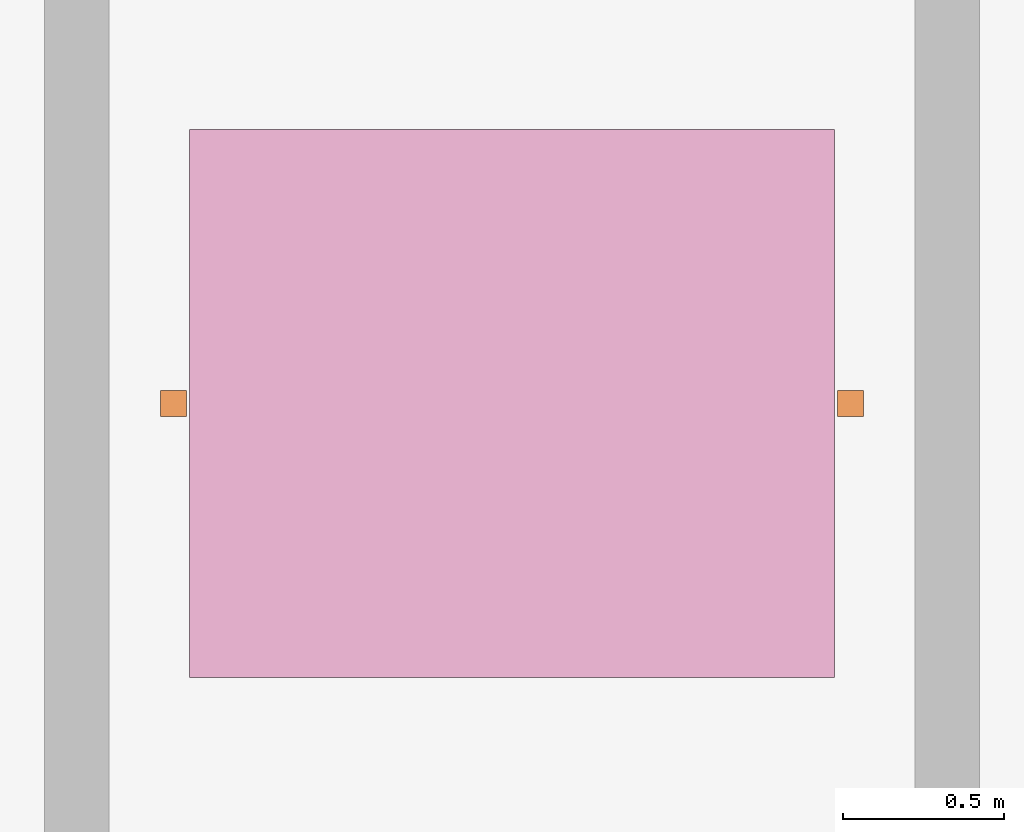
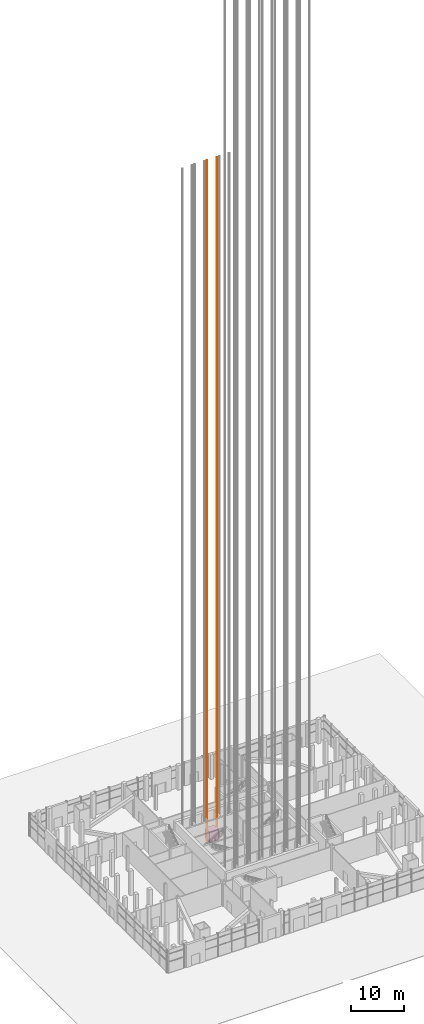
# One storey, part 26 of 27: 2 proxies, 1 transport element.
"""IFC4 building model written with IfcOpenShell, lengths in metres."""

import ifcopenshell
import ifcopenshell.guid

model = None  # the IFC model being written
_history = None  # IfcOwnerHistory: only IFC2X3 demands one
_inside = {}  # id of a spatial element -> (the spatial element, [elements in it])
_under = {}  # id of a project, library or spatial element -> (it, [spatial elements below it])
_declared = {}  # id of a project -> (the project, [libraries it declares])
_typed = {}  # id of a type object -> (the type object, [elements of that type])
_made_of = {}  # id of a material, layer set ... -> (it, [elements and type objects made of it])


def new_model(schema):
    """Start an empty IFC model of exactly this schema.

    Asked for "IFC4X3", IfcOpenShell would pick the latest addendum, in which some entities
    have other attributes; the version numbers below select the first issue.
    IFC2X3 requires an IfcOwnerHistory on every rooted entity: one is made here for all.
    """
    global model, _history
    if schema == "IFC4X3":
        model = ifcopenshell.file(schema_version=(4, 3, 0, 0))
    else:
        model = ifcopenshell.file(schema=schema)
    _inside.clear()
    _under.clear()
    _declared.clear()
    _typed.clear()
    _made_of.clear()
    _history = None
    if model.schema == "IFC2X3":
        org = make("IfcOrganization", Name="unknown")
        user = make(
            "IfcPersonAndOrganization",
            ThePerson=make("IfcPerson", FamilyName="unknown"),
            TheOrganization=org,
        )
        app = make(
            "IfcApplication",
            ApplicationDeveloper=org,
            Version="unknown",
            ApplicationFullName="unknown",
            ApplicationIdentifier="unknown",
        )
        _history = make(
            "IfcOwnerHistory",
            OwningUser=user,
            OwningApplication=app,
            ChangeAction="ADDED",
            CreationDate=0,
        )
    return model


def make(cls, **values):
    """One entity of the class cls with the attributes given. An attribute that is None is left unset."""
    return model.create_entity(
        cls, **{name: value for name, value in values.items() if value is not None}
    )


def rooted(cls, **values):
    """An entity with a GlobalId (a new one), such as an element, a storey or a relation."""
    return make(cls, GlobalId=ifcopenshell.guid.new(), OwnerHistory=_history, **values)


def si_unit(unit_type, name, prefix=None):
    """IfcSIUnit, for example si_unit("LENGTHUNIT", "METRE", prefix="MILLI")."""
    return make("IfcSIUnit", UnitType=unit_type, Prefix=prefix, Name=name)


def assignment(units):
    """IfcUnitAssignment: the units of a project."""
    return None if units is None else make("IfcUnitAssignment", Units=units)


def point(xyz):
    """IfcCartesianPoint."""
    return None if xyz is None else make("IfcCartesianPoint", Coordinates=xyz)


def direction(xyz):
    """IfcDirection."""
    return None if xyz is None else make("IfcDirection", DirectionRatios=xyz)


def frame(location, z_axis=None, x_axis=None):
    """IfcAxis2Placement3D, a coordinate frame: its origin and axes. An axis left out is left unset."""
    return make(
        "IfcAxis2Placement3D",
        Location=point(location),
        Axis=direction(z_axis),
        RefDirection=direction(x_axis),
    )


def frame_2d(location, x_axis=None):
    """IfcAxis2Placement2D, a coordinate frame in the plane: its origin and x axis."""
    return make(
        "IfcAxis2Placement2D", Location=point(location), RefDirection=direction(x_axis)
    )


def origin():
    """The frame at (0, 0, 0) with its axes left unset."""
    return frame((0.0, 0.0, 0.0))


def origin_2d():
    """The frame at (0, 0) in the plane with its x axis left unset."""
    return frame_2d((0.0, 0.0))


def place(relative_to, where):
    """IfcLocalPlacement: puts the frame where relative to a parent placement (None: the world)."""
    return make(
        "IfcLocalPlacement", PlacementRelTo=relative_to, RelativePlacement=where
    )


def context(
    kind, dimensions, precision=None, world=None, true_north=None, identifier=None
):
    """IfcGeometricRepresentationContext, for example the 3D "Model" context."""
    return make(
        "IfcGeometricRepresentationContext",
        ContextIdentifier=identifier,
        ContextType=kind,
        CoordinateSpaceDimension=dimensions,
        Precision=precision,
        WorldCoordinateSystem=world,
        TrueNorth=true_north,
    )


def subcontext(parent, identifier, kind, view, scale=None):
    """IfcGeometricRepresentationSubContext, for example "Body" below "Model"."""
    return make(
        "IfcGeometricRepresentationSubContext",
        ContextIdentifier=identifier,
        ContextType=kind,
        ParentContext=parent,
        TargetScale=scale,
        TargetView=view,
    )


def project(units=None, contexts=None):
    """IfcProject with its units and contexts."""
    return rooted(
        "IfcProject",
        Name="project",
        RepresentationContexts=contexts,
        UnitsInContext=assignment(units),
    )


def spatial(cls, under=None, at=None, **own):
    """A site, building, storey or space (cls), placed at a placement, below another one or the project."""
    s = rooted(cls, ObjectPlacement=at, **own)
    if under is not None:
        _under.setdefault(under.id(), (under, []))[1].append(s)
    return s


def profile(cls, at=None, kind="AREA", **sizes):
    """A parametric profile (cls). Its sizes go by their IFC names, for example OverallWidth=200.0."""
    return make(cls, ProfileType=kind, Position=at, **sizes)


def rectangle(**sizes):
    """IfcRectangleProfileDef."""
    return profile("IfcRectangleProfileDef", **sizes)


def extrude(swept, where, along, depth):
    """IfcExtrudedAreaSolid: the profile swept, set in the frame where, extruded along a direction by depth."""
    return make(
        "IfcExtrudedAreaSolid",
        SweptArea=swept,
        Position=where,
        ExtrudedDirection=direction(along),
        Depth=depth,
    )


def shape(context_of_items, identifier, shape_type, items):
    """IfcShapeRepresentation: the items that make up one representation, for example the "Body"."""
    return make(
        "IfcShapeRepresentation",
        ContextOfItems=context_of_items,
        RepresentationIdentifier=identifier,
        RepresentationType=shape_type,
        Items=items,
    )


def material(Name=None, Category=None):
    """IfcMaterial."""
    return make("IfcMaterial", Name=Name, Category=Category)


def made_of(thing, what):
    """Note that an element or type object is made of a material, layer set ...; save() writes the relation."""
    if what is not None:
        _made_of.setdefault(what.id(), (what, []))[1].append(thing)
    return thing


def type_object(cls, material=None, **own):
    """A type object (cls), such as IfcWallType, which elements share."""
    return made_of(rooted(cls, **own), material)


def element(
    cls,
    number,
    at=None,
    inside=None,
    cuts=None,
    type_object=None,
    material=None,
    context=None,
    identifier="Body",
    shape_type=None,
    held_by="IfcProductDefinitionShape",
    body=None,
    shapes=None,
    **own,
):
    """One element of the class cls, such as IfcWall. Its Tag is "e" and its number.

    at: its placement. inside: the storey or other place that contains it. cuts: it is an
    opening in that element (IfcRelVoidsElement). A single representation is given by context,
    identifier, shape_type and body (its items); several are given by shapes. held_by: the class
    of the entity that holds the representations. save() writes the other relations.
    """
    e = rooted(cls, Tag="e%d" % number, ObjectPlacement=at, **own)
    if body is not None:
        shapes = [shape(context, identifier, shape_type, body)]
    if shapes is not None:
        e.Representation = make(held_by, Representations=shapes)
    if inside is not None:
        _inside.setdefault(inside.id(), (inside, []))[1].append(e)
    if cuts is not None:
        rooted(
            "IfcRelVoidsElement", RelatingBuildingElement=cuts, RelatedOpeningElement=e
        )
    if type_object is not None:
        _typed.setdefault(type_object.id(), (type_object, []))[1].append(e)
    return made_of(e, material)


def aggregate(whole, parts):
    """IfcRelAggregates: a whole, such as a stair, and the parts it consists of."""
    return rooted("IfcRelAggregates", RelatingObject=whole, RelatedObjects=parts)


def save(model, path):
    """Write the relations noted so far, then the file.

    IfcRelAggregates (storeys below a building ...), IfcRelContainedInSpatialStructure (elements
    in a storey), IfcRelDefinesByType, IfcRelAssociatesMaterial and IfcRelDeclares: one each for
    every whole, place, type object, material and project.
    """
    for whole, parts in _under.values():
        aggregate(whole, parts)
    for where, things in _inside.values():
        rooted(
            "IfcRelContainedInSpatialStructure",
            RelatedElements=things,
            RelatingStructure=where,
        )
    for kind, things in _typed.values():
        rooted("IfcRelDefinesByType", RelatedObjects=things, RelatingType=kind)
    for what, things in _made_of.values():
        rooted("IfcRelAssociatesMaterial", RelatedObjects=things, RelatingMaterial=what)
    for by, libraries in _declared.values():
        rooted("IfcRelDeclares", RelatingContext=by, RelatedDefinitions=libraries)
    model.write(path)


model = new_model("IFC4")

# Units and contexts
model_context = context("Model", 3, precision=1e-05, world=origin(), true_north=direction((0.0, 1.0)))
body_context = subcontext(model_context, "Body", "Model", "MODEL_VIEW")
ifc_project = project(units=[si_unit("LENGTHUNIT", "METRE"), si_unit("AREAUNIT", "SQUARE_METRE"), si_unit("VOLUMEUNIT", "CUBIC_METRE"), si_unit("PLANEANGLEUNIT", "RADIAN"), si_unit("MASSUNIT", "GRAM", prefix="KILO")], contexts=[model_context])

# Site, building, storey
site_placement = place(None, origin())
site = spatial("IfcSite", under=ifc_project, at=site_placement, CompositionType="ELEMENT")
building_placement = place(site_placement, origin())
building = spatial("IfcBuilding", under=site, at=building_placement, Name="Turquesa Mirador Hotel Tower", CompositionType="ELEMENT")
storey_placement = place(building_placement, origin())
storey = spatial("IfcBuildingStorey", under=building, at=storey_placement, Name="L00", CompositionType="ELEMENT", Elevation=0.0)

# Transport element, proxies
ifc_material_1 = material(Name="Stainless steel lift car", Category="steel")
transport_element_type = type_object("IfcTransportElementType", Name="PASSENGER LIFT 1600 KG", PredefinedType="ELEVATOR", material=ifc_material_1)
transport_element_placement = place(storey_placement, frame((52.25, 53.050048828125, 0.0), z_axis=(0.0, 0.0, 1.0), x_axis=(1.0, 0.0, 0.0)))
transport_element = element("IfcTransportElement", 1, at=transport_element_placement, inside=storey, type_object=transport_element_type, Name="Lift A3", PredefinedType="ELEVATOR", context=body_context, shape_type="SweptSolid", body=[
    extrude(rectangle(XDim=2.0, YDim=1.699951171875, at=origin_2d()), origin(), (0.0, 0.0, 1.0), 2.39990234375),
])
ifc_material_2 = material(Name="Steel ASTM A992 Grade 50", Category="steel")
building_element_proxy_type = type_object("IfcBuildingElementProxyType", Name="LIFT GUIDE RAIL 80X80", PredefinedType="USERDEFINED", material=ifc_material_2)
proxy_1_placement = place(storey_placement, frame((51.199951171875, 53.050048828125, 0.0), z_axis=(0.0, 0.0, 1.0), x_axis=(1.0, 0.0, 0.0)))
proxy_1 = element("IfcBuildingElementProxy", 2, at=proxy_1_placement, type_object=building_element_proxy_type, Name="Lift A3 guide rail 1", ObjectType="LIFT GUIDE RAIL", PredefinedType="USERDEFINED", context=body_context, shape_type="SweptSolid", body=[
    extrude(rectangle(XDim=0.080078125, YDim=0.080078125, at=origin_2d()), origin(), (0.0, 0.0, 1.0), 156.1201171875),
])
proxy_2_placement = place(storey_placement, frame((53.300048828125, 53.050048828125, 0.0), z_axis=(0.0, 0.0, 1.0), x_axis=(1.0, 0.0, 0.0)))
proxy_2 = element("IfcBuildingElementProxy", 3, at=proxy_2_placement, type_object=building_element_proxy_type, Name="Lift A3 guide rail 2", ObjectType="LIFT GUIDE RAIL", PredefinedType="USERDEFINED", context=body_context, shape_type="SweptSolid", body=[
    extrude(rectangle(XDim=0.080078125, YDim=0.080078125, at=origin_2d()), origin(), (0.0, 0.0, 1.0), 156.1201171875),
])
aggregate(transport_element, [proxy_1, proxy_2])

save(model, "model.ifc")
